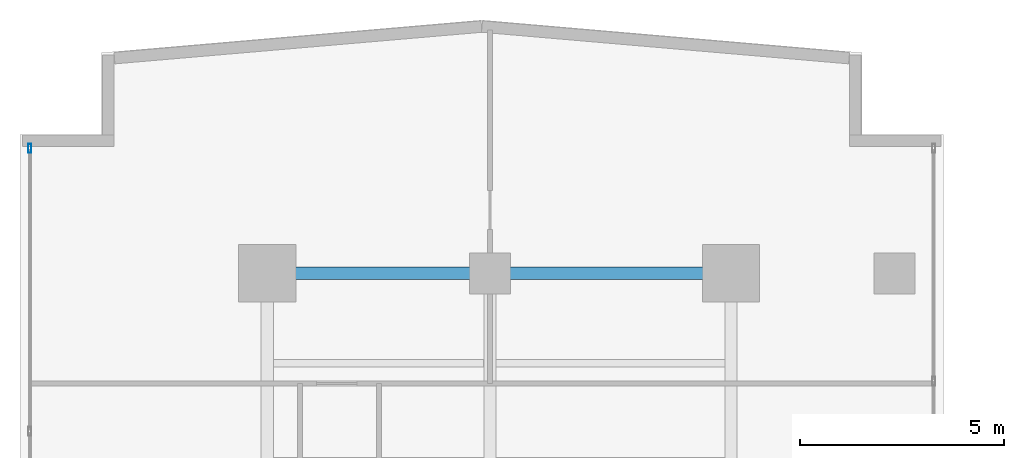
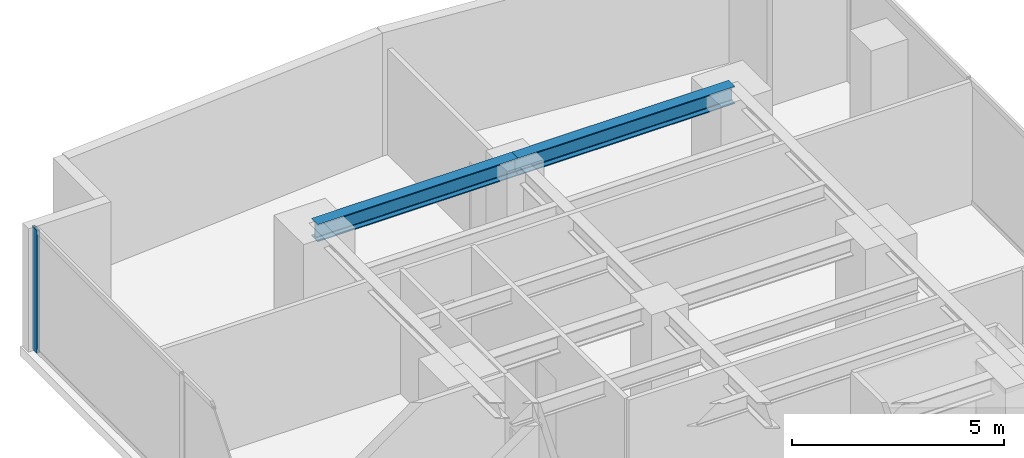
# One storey, part 18 of 29: 2 beams, 1 member, 1 element without a shape of its own.
"""IFC4 building model written with IfcOpenShell, lengths in metres."""

from ifc_helpers import new_model, si_unit, direction, frame, origin, origin_with_axes, origin_2d, place, context, subcontext, project, spatial, hollow_rectangle, i_section, extrude, source, transform, mapped, material, layer, layer_set, material_profile, profile_set, type_object, element, aggregate, save


model = new_model("IFC4")

# Units and contexts
model_context = context("Model", 3, precision=1e-05, world=origin(), true_north=direction((0.0, 1.0)))
body_context = subcontext(model_context, "Body", "Model", "MODEL_VIEW")
ifc_project = project(units=[si_unit("LENGTHUNIT", "METRE"), si_unit("AREAUNIT", "SQUARE_METRE"), si_unit("VOLUMEUNIT", "CUBIC_METRE"), si_unit("PLANEANGLEUNIT", "RADIAN"), si_unit("MASSUNIT", "GRAM", prefix="KILO")], contexts=[model_context])

# Site, building, storey
site_placement = place(None, origin())
site = spatial("IfcSite", under=ifc_project, at=site_placement, CompositionType="ELEMENT")
building_placement = place(site_placement, origin())
building = spatial("IfcBuilding", under=site, at=building_placement, Name="Kolvaren Waterfront Exchange", CompositionType="ELEMENT")
storey_placement = place(building_placement, frame((0.0, 0.0, 129.699951171875)))
storey = spatial("IfcBuildingStorey", under=building, at=storey_placement, Name="L33", CompositionType="ELEMENT", Elevation=129.699951171875)

# Beams
ifc_material_1 = material(Name="Steel S355", Category="steel")
ifc_material_profile_1 = material_profile(ifc_material_1, i_section(OverallWidth=0.300048828125, OverallDepth=0.5, WebThickness=0.014404296875, FlangeThickness=0.028076171875, FilletRadius=0.027099609375, at=origin_2d()), Name="HEB500")
ifc_profile_set_1 = profile_set([ifc_material_profile_1], Name="Steel S355")
beam_type = type_object("IfcBeamType", Name="STR-BM-HEB500", PredefinedType="BEAM", material=ifc_profile_set_1)
beam_1_placement = place(storey_placement, frame((7.449951171875, 44.60009765625, 3.2900390625), z_axis=(1.0, 0.0, 0.0), x_axis=(0.0, 1.0, 0.0)))
element("IfcBeam", 1, at=beam_1_placement, inside=storey, type_object=beam_type, Name="L33 north-arm girder 4A", PredefinedType="BEAM", context=body_context, shape_type="SweptSolid", body=[
    extrude(i_section(OverallWidth=0.300048828125, OverallDepth=0.5, WebThickness=0.014404296875, FlangeThickness=0.028076171875, FilletRadius=0.027099609375, at=origin_2d()), origin(), (0.0, 0.0, 1.0), 5.449951171875),
])
beam_2_placement = place(storey_placement, frame((12.89990234375, 44.60009765625, 3.2900390625), z_axis=(1.0, 0.0, 0.0), x_axis=(0.0, 1.0, 0.0)))
element("IfcBeam", 2, at=beam_2_placement, inside=storey, type_object=beam_type, Name="L33 north-arm girder 4B", PredefinedType="BEAM", context=body_context, shape_type="SweptSolid", body=[
    extrude(i_section(OverallWidth=0.300048828125, OverallDepth=0.5, WebThickness=0.014404296875, FlangeThickness=0.028076171875, FilletRadius=0.027099609375, at=origin_2d()), origin(), (0.0, 0.0, 1.0), 5.900146484375),
])

# Curtain wall, member
ifc_material_2 = material(Name="Anodised aluminium 6063-T6", Category="aluminium")
ifc_layer = layer(ifc_material_2, 0.219970703125, Name="Anodised aluminium 6063-T6")
ifc_layer_set = layer_set([ifc_layer], Name="Anodised aluminium 6063-T6")
curtain_wall_type = type_object("IfcCurtainWallType", Name="ARC-CW-SYS2", PredefinedType="USERDEFINED", material=ifc_layer_set)
curtain_wall_placement = place(storey_placement, origin())
curtain_wall = element("IfcCurtainWall", 3, at=curtain_wall_placement, inside=storey, type_object=curtain_wall_type, Name="L33 stick curtain wall CW2 (CW-L33-W)", ObjectType="STICK CURTAIN WALL", PredefinedType="USERDEFINED")
ifc_material_profile_2 = material_profile(ifc_material_2, hollow_rectangle(XDim=0.080078125, YDim=0.219970703125, WallThickness=0.0048828125, at=origin_2d()), Name="ALU-MUL-220x80x5")
ifc_profile_set_2 = profile_set([ifc_material_profile_2], Name="Anodised aluminium 6063-T6")
member_type = type_object("IfcMemberType", Name="ARC-CWM-220", PredefinedType="MULLION", material=ifc_profile_set_2)
shared_shape = source(origin_with_axes(), body_context, "Body", "SweptSolid", [
    extrude(hollow_rectangle(XDim=0.080078125, YDim=0.219970703125, WallThickness=0.0048828125, at=origin_2d()), origin(), (0.0, 0.0, 1.0), 3.5400390625),
])
member_placement = place(storey_placement, frame((1.639892578125, 47.659912109375, 0.0), z_axis=(0.0, 0.0, 1.0), x_axis=(-1.0, 0.0, 0.0)))
member = element("IfcMember", 4, at=member_placement, type_object=member_type, Name="CW2 mullion 7", PredefinedType="MULLION", context=body_context, shape_type="MappedRepresentation", body=[
    mapped(shared_shape, transform((0.0, 0.0, 0.0), x_axis=(1.0, 0.0, 0.0), y_axis=(0.0, 1.0, 0.0), z_axis=(0.0, 0.0, 1.0), scale=1.0)),
])
aggregate(curtain_wall, [member])

save(model, "model.ifc")
